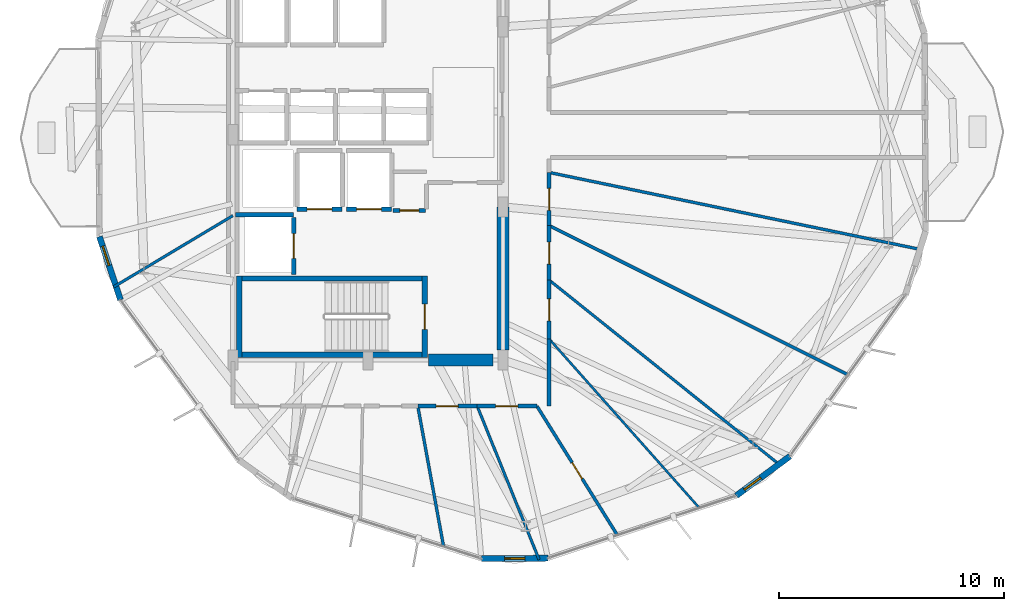
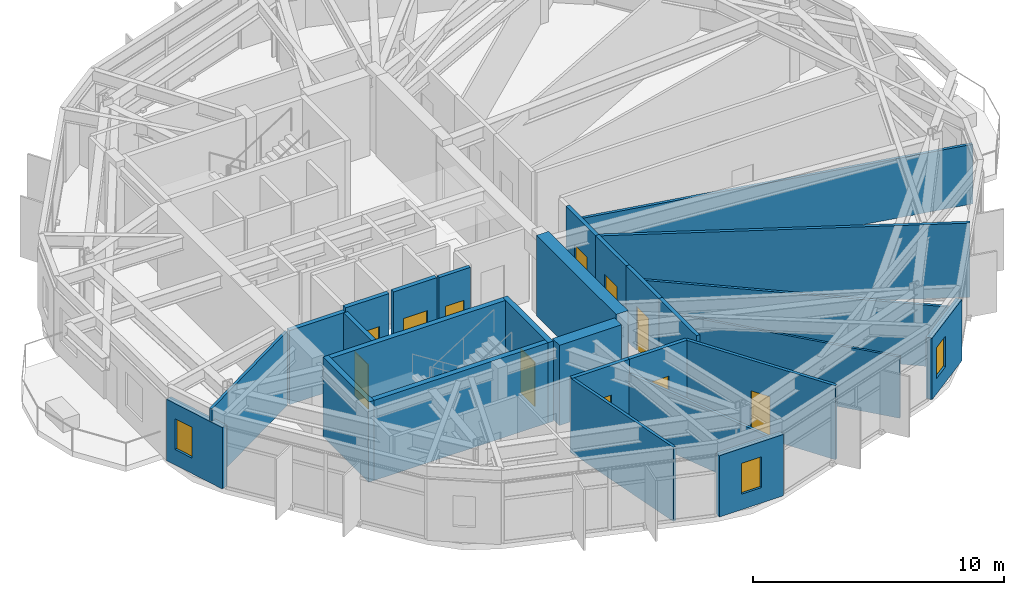
# One storey, part 21 of 27: 28 walls, 11 doors, 3 windows, 14 openings.
"""IFC4 building model written with IfcOpenShell, lengths in metres."""

from ifc_helpers import new_model, si_unit, direction, frame, frame_2d, origin, place, context, subcontext, project, spatial, rectangle, extrude, material, layer, layer_set, type_object, element, fill, save


model = new_model("IFC4")

# Units and contexts
model_context = context("Model", 3, precision=1e-05, world=origin(), true_north=direction((0.0, 1.0)))
body_context = subcontext(model_context, "Body", "Model", "MODEL_VIEW")
ifc_project = project(units=[si_unit("LENGTHUNIT", "METRE"), si_unit("AREAUNIT", "SQUARE_METRE"), si_unit("VOLUMEUNIT", "CUBIC_METRE"), si_unit("PLANEANGLEUNIT", "RADIAN"), si_unit("MASSUNIT", "GRAM", prefix="KILO")], contexts=[model_context])

# Site, building, storey
site_placement = place(None, origin())
site = spatial("IfcSite", under=ifc_project, at=site_placement, CompositionType="ELEMENT")
building_placement = place(site_placement, origin())
building = spatial("IfcBuilding", under=site, at=building_placement, Name="Soratama Intermodal Tower", CompositionType="ELEMENT")
storey_placement = place(building_placement, frame((0.0, 0.0, 99.10009765625)))
storey = spatial("IfcBuildingStorey", under=building, at=storey_placement, Name="L23", CompositionType="ELEMENT", Elevation=99.10009765625)

# Wall, opening, window
ifc_material_1 = material(Name="Concrete f'c 42 MPa", Category="concrete")
ifc_layer_1 = layer(ifc_material_1, 0.27001953125)
ifc_layer_set_1 = layer_set([ifc_layer_1], Name="Concrete f'c 42 MPa")
wall_type_1 = type_object("IfcWallType", Name="EW-CRN-270", PredefinedType="SOLIDWALL", material=ifc_layer_set_1)
wall_1_placement = place(storey_placement, frame((26.67626953125, 20.4814453125, 0.0), z_axis=(0.0, 0.0, 1.0), x_axis=(0.314968272773, -0.94910220058, 0.0)))
wall_1 = element("IfcWall", 1, at=wall_1_placement, inside=storey, type_object=wall_type_1, Name="L23 Corner Closure Wall 05", PredefinedType="SOLIDWALL", context=body_context, shape_type="SweptSolid", body=[
    extrude(rectangle(XDim=2.96630859375, YDim=0.27001953125, at=frame_2d((1.483154296875, 0.0))), origin(), (0.0, 0.0, 1.0), 2.97900390625),
])
opening_1_placement = place(wall_1_placement, frame((0.449951171875, 0.0, 0.75)))
opening_1 = element("IfcOpeningElement", 2, at=opening_1_placement, cuts=wall_1, Name="Opening WN-6", PredefinedType="OPENING", context=body_context, shape_type="SweptSolid", body=[
    extrude(rectangle(XDim=0.89990234375, YDim=1.5, at=frame_2d((0.449951171875, 0.75))), frame((0.0, 0.14501953125, 0.0), z_axis=(0.0, -1.0, 0.0), x_axis=(1.0, 0.0, 0.0)), (0.0, 0.0, 1.0), 0.2900390625),
])
ifc_material_2 = material(Name="Double-glazed aluminium window", Category="aluminium")
window_type = type_object("IfcWindowType", Name="WN-FAC-900", PartitioningType="SINGLE_PANEL", PredefinedType="WINDOW", material=ifc_material_2)
window_1_placement = place(opening_1_placement, origin())
window_1 = element("IfcWindow", 3, at=window_1_placement, inside=storey, type_object=window_type, Name="L23 Corner Window 05", OverallHeight=1.5, OverallWidth=0.89990234375, PartitioningType="SINGLE_PANEL", PredefinedType="WINDOW", context=body_context, shape_type="SweptSolid", body=[
    extrude(rectangle(XDim=0.89990234375, YDim=1.5, at=frame_2d((0.449951171875, 0.75))), frame((0.0, 0.030029296875, 0.0), z_axis=(0.0, -1.0, 0.0), x_axis=(1.0, 0.0, 0.0)), (0.0, 0.0, 1.0), 0.06005859375),
])
fill(opening_1, window_1)

wall_2_placement = place(storey_placement, frame((43.635009765625, 6.1767578125, 0.0), z_axis=(0.0, 0.0, 1.0), x_axis=(0.99998044038, 0.00625450691, 0.0)))
wall_2 = element("IfcWall", 4, at=wall_2_placement, inside=storey, type_object=wall_type_1, Name="L23 Corner Closure Wall 07", PredefinedType="SOLIDWALL", context=body_context, shape_type="SweptSolid", body=[
    extrude(rectangle(XDim=2.966552734375, YDim=0.27001953125, at=frame_2d((1.4833984375, 0.0))), origin(), (0.0, 0.0, 1.0), 2.97900390625),
])
opening_2_placement = place(wall_2_placement, frame((1.033203125, 0.0, 0.75)))
opening_2 = element("IfcOpeningElement", 5, at=opening_2_placement, cuts=wall_2, Name="Opening WN-6", PredefinedType="OPENING", context=body_context, shape_type="SweptSolid", body=[
    extrude(rectangle(XDim=0.89990234375, YDim=1.5, at=frame_2d((0.449951171875, 0.75))), frame((0.0, 0.14501953125, 0.0), z_axis=(0.0, -1.0, 0.0), x_axis=(1.0, 0.0, 0.0)), (0.0, 0.0, 1.0), 0.2900390625),
])
window_2_placement = place(opening_2_placement, origin())
window_2 = element("IfcWindow", 6, at=window_2_placement, inside=storey, type_object=window_type, Name="L23 Corner Window 07", OverallHeight=1.5, OverallWidth=0.89990234375, PartitioningType="SINGLE_PANEL", PredefinedType="WINDOW", context=body_context, shape_type="SweptSolid", body=[
    extrude(rectangle(XDim=0.89990234375, YDim=1.5, at=frame_2d((0.449951171875, 0.75))), frame((0.0, 0.030029296875, 0.0), z_axis=(0.0, -1.0, 0.0), x_axis=(1.0, 0.0, 0.0)), (0.0, 0.0, 1.0), 0.06005859375),
])
fill(opening_2, window_2)

wall_3_placement = place(storey_placement, frame((54.959716796875, 8.96923828125, 0.0), z_axis=(0.0, 0.0, 1.0), x_axis=(0.80529158798, 0.592878957569, 0.0)))
wall_3 = element("IfcWall", 7, at=wall_3_placement, inside=storey, type_object=wall_type_1, Name="L23 Corner Closure Wall 08", PredefinedType="SOLIDWALL", context=body_context, shape_type="SweptSolid", body=[
    extrude(rectangle(XDim=2.966552734375, YDim=0.27001953125, at=frame_2d((1.4833984375, 0.0))), origin(), (0.0, 0.0, 1.0), 2.97900390625),
])
opening_3_placement = place(wall_3_placement, frame((0.449951171875, 0.0, 0.75)))
opening_3 = element("IfcOpeningElement", 8, at=opening_3_placement, cuts=wall_3, Name="Opening WN-6", PredefinedType="OPENING", context=body_context, shape_type="SweptSolid", body=[
    extrude(rectangle(XDim=0.89990234375, YDim=1.5, at=frame_2d((0.449951171875, 0.75))), frame((0.0, 0.14501953125, 0.0), z_axis=(0.0, -1.0, 0.0), x_axis=(1.0, 0.0, 0.0)), (0.0, 0.0, 1.0), 0.2900390625),
])
window_3_placement = place(opening_3_placement, origin())
window_3 = element("IfcWindow", 9, at=window_3_placement, inside=storey, type_object=window_type, Name="L23 Corner Window 08", OverallHeight=1.5, OverallWidth=0.89990234375, PartitioningType="SINGLE_PANEL", PredefinedType="WINDOW", context=body_context, shape_type="SweptSolid", body=[
    extrude(rectangle(XDim=0.89990234375, YDim=1.5, at=frame_2d((0.449951171875, 0.75))), frame((0.0, 0.030029296875, 0.0), z_axis=(0.0, -1.0, 0.0), x_axis=(1.0, 0.0, 0.0)), (0.0, 0.0, 1.0), 0.06005859375),
])
fill(opening_3, window_3)

# Wall, opening, door
ifc_material_3 = material(Name="Fire-rated gypsum stud partition", Category="concrete")
ifc_layer_2 = layer(ifc_material_3, 0.169921875)
ifc_layer_set_2 = layer_set([ifc_layer_2], Name="Fire-rated gypsum stud partition")
wall_type_2 = type_object("IfcWallType", Name="IW-PART-R170", PredefinedType="PARTITIONING", material=ifc_layer_set_2)
wall_4_placement = place(storey_placement, frame((46.10791015625, 12.949951171875, 0.0), z_axis=(0.0, 0.0, 1.0), x_axis=(-1.0, 0.0, 0.0)))
wall_4 = element("IfcWall", 10, at=wall_4_placement, inside=storey, type_object=wall_type_2, Name="L23 Partition W-L23-TP026", PredefinedType="PARTITIONING", context=body_context, shape_type="SweptSolid", body=[
    extrude(rectangle(XDim=2.65283203125, YDim=0.169921875, at=frame_2d((1.326416015625, 0.0))), origin(), (0.0, 0.0, 1.0), 3.599853515625),
])
opening_4_placement = place(wall_4_placement, frame((0.85107421875, 0.0, 0.0)))
opening_4 = element("IfcOpeningElement", 11, at=opening_4_placement, cuts=wall_4, Name="Opening ID-5", PredefinedType="OPENING", context=body_context, shape_type="SweptSolid", body=[
    extrude(rectangle(XDim=0.97998046875, YDim=2.14990234375, at=frame_2d((0.489990234375, 1.074951171875))), frame((0.0, 0.094970703125, 0.0), z_axis=(0.0, -1.0, 0.0), x_axis=(1.0, 0.0, 0.0)), (0.0, 0.0, 1.0), 0.18994140625),
])
ifc_material_4 = material(Name="Solid hardwood acoustic door", Category="wood")
door_type_1 = type_object("IfcDoorType", Name="DR-OFF-980", OperationType="NOTDEFINED", PredefinedType="DOOR", material=ifc_material_4)
door_1_placement = place(opening_4_placement, origin())
door_1 = element("IfcDoor", 12, at=door_1_placement, inside=storey, type_object=door_type_1, Name="L23 Door D-L23-TP010", OperationType="SINGLE_SWING_LEFT", OverallHeight=2.14990234375, OverallWidth=0.97998046875, PredefinedType="DOOR", context=body_context, shape_type="SweptSolid", body=[
    extrude(rectangle(XDim=0.97998046875, YDim=2.14990234375, at=frame_2d((0.489990234375, 1.074951171875))), frame((0.0, 0.02490234375, 0.0), z_axis=(0.0, -1.0, 0.0), x_axis=(1.0, 0.0, 0.0)), (0.0, 0.0, 1.0), 0.050048828125),
])
fill(opening_4, door_1)

wall_5_placement = place(storey_placement, frame((43.455078125, 12.949951171875, 0.0), z_axis=(0.0, 0.0, 1.0), x_axis=(-1.0, 0.0, 0.0)))
wall_5 = element("IfcWall", 13, at=wall_5_placement, inside=storey, type_object=wall_type_2, Name="L23 Partition W-L23-TP027", PredefinedType="PARTITIONING", context=body_context, shape_type="SweptSolid", body=[
    extrude(rectangle(XDim=2.64013671875, YDim=0.169921875, at=frame_2d((1.320068359375, 0.0))), origin(), (0.0, 0.0, 1.0), 3.599853515625),
])
opening_5_placement = place(wall_5_placement, frame((0.844970703125, 0.0, 0.0)))
opening_5 = element("IfcOpeningElement", 14, at=opening_5_placement, cuts=wall_5, Name="Opening ID-5", PredefinedType="OPENING", context=body_context, shape_type="SweptSolid", body=[
    extrude(rectangle(XDim=0.97998046875, YDim=2.14990234375, at=frame_2d((0.489990234375, 1.074951171875))), frame((0.0, 0.094970703125, 0.0), z_axis=(0.0, -1.0, 0.0), x_axis=(1.0, 0.0, 0.0)), (0.0, 0.0, 1.0), 0.18994140625),
])
door_2_placement = place(opening_5_placement, origin())
door_2 = element("IfcDoor", 15, at=door_2_placement, inside=storey, type_object=door_type_1, Name="L23 Door D-L23-TP011", OperationType="SINGLE_SWING_RIGHT", OverallHeight=2.14990234375, OverallWidth=0.97998046875, PredefinedType="DOOR", context=body_context, shape_type="SweptSolid", body=[
    extrude(rectangle(XDim=0.97998046875, YDim=2.14990234375, at=frame_2d((0.489990234375, 1.074951171875))), frame((0.0, 0.02490234375, 0.0), z_axis=(0.0, -1.0, 0.0), x_axis=(1.0, 0.0, 0.0)), (0.0, 0.0, 1.0), 0.050048828125),
])
fill(opening_5, door_2)

wall_6_placement = place(storey_placement, frame((46.64990234375, 18.550048828125, 0.0), z_axis=(0.0, 0.0, 1.0), x_axis=(0.0, -1.0, 0.0)))
wall_6 = element("IfcWall", 16, at=wall_6_placement, inside=storey, type_object=wall_type_2, Name="L23 Partition W-L23-TP028", PredefinedType="PARTITIONING", context=body_context, shape_type="SweptSolid", body=[
    extrude(rectangle(XDim=2.614013671875, YDim=0.169921875, at=frame_2d((1.30712890625, 0.0))), origin(), (0.0, 0.0, 1.0), 3.599853515625),
])
opening_6_placement = place(wall_6_placement, frame((0.83203125, 0.0, 0.0)))
opening_6 = element("IfcOpeningElement", 17, at=opening_6_placement, cuts=wall_6, Name="Opening ID-5", PredefinedType="OPENING", context=body_context, shape_type="SweptSolid", body=[
    extrude(rectangle(XDim=0.97998046875, YDim=2.14990234375, at=frame_2d((0.489990234375, 1.074951171875))), frame((0.0, 0.094970703125, 0.0), z_axis=(0.0, -1.0, 0.0), x_axis=(1.0, 0.0, 0.0)), (0.0, 0.0, 1.0), 0.18994140625),
])
door_3_placement = place(opening_6_placement, origin())
door_3 = element("IfcDoor", 18, at=door_3_placement, inside=storey, type_object=door_type_1, Name="L23 Door D-L23-TP012", OperationType="SINGLE_SWING_LEFT", OverallHeight=2.14990234375, OverallWidth=0.97998046875, PredefinedType="DOOR", context=body_context, shape_type="SweptSolid", body=[
    extrude(rectangle(XDim=0.97998046875, YDim=2.14990234375, at=frame_2d((0.489990234375, 1.074951171875))), frame((0.0, 0.02490234375, 0.0), z_axis=(0.0, -1.0, 0.0), x_axis=(1.0, 0.0, 0.0)), (0.0, 0.0, 1.0), 0.050048828125),
])
fill(opening_6, door_3)

wall_7_placement = place(storey_placement, frame((46.64990234375, 20.97509765625, 0.0), z_axis=(0.0, 0.0, 1.0), x_axis=(0.0, -1.0, 0.0)))
wall_7 = element("IfcWall", 19, at=wall_7_placement, inside=storey, type_object=wall_type_2, Name="L23 Partition W-L23-TP030", PredefinedType="PARTITIONING", context=body_context, shape_type="SweptSolid", body=[
    extrude(rectangle(XDim=2.425048828125, YDim=0.169921875, at=frame_2d((1.21240234375, 0.0))), origin(), (0.0, 0.0, 1.0), 3.599853515625),
])
opening_7_placement = place(wall_7_placement, frame((0.738037109375, 0.0, 0.0)))
opening_7 = element("IfcOpeningElement", 20, at=opening_7_placement, cuts=wall_7, Name="Opening ID-5", PredefinedType="OPENING", context=body_context, shape_type="SweptSolid", body=[
    extrude(rectangle(XDim=0.97998046875, YDim=2.14990234375, at=frame_2d((0.489990234375, 1.074951171875))), frame((0.0, 0.094970703125, 0.0), z_axis=(0.0, -1.0, 0.0), x_axis=(1.0, 0.0, 0.0)), (0.0, 0.0, 1.0), 0.18994140625),
])
door_4_placement = place(opening_7_placement, origin())
door_4 = element("IfcDoor", 21, at=door_4_placement, inside=storey, type_object=door_type_1, Name="L23 Door D-L23-TP014", OperationType="SINGLE_SWING_LEFT", OverallHeight=2.14990234375, OverallWidth=0.97998046875, PredefinedType="DOOR", context=body_context, shape_type="SweptSolid", body=[
    extrude(rectangle(XDim=0.97998046875, YDim=2.14990234375, at=frame_2d((0.489990234375, 1.074951171875))), frame((0.0, 0.02490234375, 0.0), z_axis=(0.0, -1.0, 0.0), x_axis=(1.0, 0.0, 0.0)), (0.0, 0.0, 1.0), 0.050048828125),
])
fill(opening_7, door_4)

wall_8_placement = place(storey_placement, frame((46.64990234375, 23.330078125, 0.0), z_axis=(0.0, 0.0, 1.0), x_axis=(0.0, -1.0, 0.0)))
wall_8 = element("IfcWall", 22, at=wall_8_placement, inside=storey, type_object=wall_type_2, Name="L23 Partition W-L23-TP032", PredefinedType="PARTITIONING", context=body_context, shape_type="SweptSolid", body=[
    extrude(rectangle(XDim=2.35498046875, YDim=0.169921875, at=frame_2d((1.177490234375, 0.0))), origin(), (0.0, 0.0, 1.0), 3.599853515625),
])
opening_8_placement = place(wall_8_placement, frame((0.701904296875, 0.0, 0.0)))
opening_8 = element("IfcOpeningElement", 23, at=opening_8_placement, cuts=wall_8, Name="Opening ID-5", PredefinedType="OPENING", context=body_context, shape_type="SweptSolid", body=[
    extrude(rectangle(XDim=0.97998046875, YDim=2.14990234375, at=frame_2d((0.489990234375, 1.074951171875))), frame((0.0, 0.094970703125, 0.0), z_axis=(0.0, -1.0, 0.0), x_axis=(1.0, 0.0, 0.0)), (0.0, 0.0, 1.0), 0.18994140625),
])
door_5_placement = place(opening_8_placement, origin())
door_5 = element("IfcDoor", 24, at=door_5_placement, inside=storey, type_object=door_type_1, Name="L23 Door D-L23-TP016", OperationType="SINGLE_SWING_LEFT", OverallHeight=2.14990234375, OverallWidth=0.97998046875, PredefinedType="DOOR", context=body_context, shape_type="SweptSolid", body=[
    extrude(rectangle(XDim=0.97998046875, YDim=2.14990234375, at=frame_2d((0.489990234375, 1.074951171875))), frame((0.0, 0.02490234375, 0.0), z_axis=(0.0, -1.0, 0.0), x_axis=(1.0, 0.0, 0.0)), (0.0, 0.0, 1.0), 0.050048828125),
])
fill(opening_8, door_5)

wall_9_placement = place(storey_placement, frame((39.719970703125, 21.639892578125, 0.0), z_axis=(0.0, 0.0, 1.0), x_axis=(1.0, 0.0, 0.0)))
wall_9 = element("IfcWall", 25, at=wall_9_placement, inside=storey, type_object=wall_type_2, Name="L23 Partition W-L23-TP037", PredefinedType="PARTITIONING", context=body_context, shape_type="SweptSolid", body=[
    extrude(rectangle(XDim=1.43994140625, YDim=0.169921875, at=frame_2d((0.719970703125, 0.0))), origin(), (0.0, 0.0, 1.0), 3.599853515625),
])
opening_9_placement = place(wall_9_placement, frame((0.294921875, 0.0, 0.0)))
opening_9 = element("IfcOpeningElement", 26, at=opening_9_placement, cuts=wall_9, Name="Opening ID-4", PredefinedType="OPENING", context=body_context, shape_type="SweptSolid", body=[
    extrude(rectangle(XDim=0.85009765625, YDim=2.10009765625, at=frame_2d((0.425048828125, 1.050048828125))), frame((0.0, 0.094970703125, 0.0), z_axis=(0.0, -1.0, 0.0), x_axis=(1.0, 0.0, 0.0)), (0.0, 0.0, 1.0), 0.18994140625),
])
ifc_material_5 = material(Name="Solid hardwood acoustic door", Category="wood")
door_type_2 = type_object("IfcDoorType", Name="DR-BATH-850", OperationType="NOTDEFINED", PredefinedType="DOOR", material=ifc_material_5)
door_6_placement = place(opening_9_placement, origin())
door_6 = element("IfcDoor", 27, at=door_6_placement, inside=storey, type_object=door_type_2, Name="L23 Door D-L23-TP019", OperationType="SINGLE_SWING_RIGHT", OverallHeight=2.10009765625, OverallWidth=0.85009765625, PredefinedType="DOOR", context=body_context, shape_type="SweptSolid", body=[
    extrude(rectangle(XDim=0.85009765625, YDim=2.10009765625, at=frame_2d((0.425048828125, 1.050048828125))), frame((0.0, 0.02490234375, 0.0), z_axis=(0.0, -1.0, 0.0), x_axis=(1.0, 0.0, 0.0)), (0.0, 0.0, 1.0), 0.050048828125),
])
fill(opening_9, door_6)

# Walls
wall_10_placement = place(storey_placement, frame((46.64990234375, 15.93603515625, 0.0), z_axis=(0.0, 0.0, 1.0), x_axis=(0.0, -1.0, 0.0)))
element("IfcWall", 28, at=wall_10_placement, inside=storey, type_object=wall_type_2, Name="L23 Partition W-L23-TP041", PredefinedType="PARTITIONING", context=body_context, shape_type="SweptSolid", body=[
    extrude(rectangle(XDim=2.986083984375, YDim=0.169921875, at=frame_2d((1.4931640625, 0.0))), origin(), (0.0, 0.0, 1.0), 3.599853515625),
])
ifc_material_6 = material(Name="Fire-rated gypsum stud partition", Category="concrete")
ifc_layer_3 = layer(ifc_material_6, 0.10009765625)
ifc_layer_set_3 = layer_set([ifc_layer_3], Name="Fire-rated gypsum stud partition")
wall_type_3 = type_object("IfcWallType", Name="IW-PART-S100", PredefinedType="PARTITIONING", material=ifc_layer_set_3)
wall_11_placement = place(storey_placement, frame((46.64990234375, 15.93603515625, 0.0), z_axis=(0.0, 0.0, 1.0), x_axis=(0.664172243605, -0.7475795816, 0.0)))
element("IfcWall", 29, at=wall_11_placement, inside=storey, type_object=wall_type_3, Name="L23 Partition W-L23-TP009", PredefinedType="PARTITIONING", context=body_context, shape_type="SweptSolid", body=[
    extrude(rectangle(XDim=10.045654296875, YDim=0.10009765625, at=frame_2d((5.02294921875, 0.0))), origin(), (0.0, 0.0, 1.0), 2.977783203125),
])
ifc_material_7 = material(Name="Fire-rated gypsum stud partition", Category="concrete")
ifc_layer_4 = layer(ifc_material_7, 0.1201171875)
ifc_layer_set_4 = layer_set([ifc_layer_4], Name="Fire-rated gypsum stud partition")
wall_type_4 = type_object("IfcWallType", Name="IW-PART-S120", PredefinedType="PARTITIONING", material=ifc_layer_set_4)
wall_12_placement = place(storey_placement, frame((46.64990234375, 18.550048828125, 0.0), z_axis=(0.0, 0.0, 1.0), x_axis=(0.780393276033, -0.625289000961, 0.0)))
element("IfcWall", 30, at=wall_12_placement, inside=storey, type_object=wall_type_4, Name="L23 Partition W-L23-TP007", PredefinedType="PARTITIONING", context=body_context, shape_type="SweptSolid", body=[
    extrude(rectangle(XDim=13.179443359375, YDim=0.1201171875, at=frame_2d((6.58984375, 0.0))), origin(), (0.0, 0.0, 1.0), 2.977783203125),
])
wall_13_placement = place(storey_placement, frame((43.455078125, 12.949951171875, 0.0), z_axis=(0.0, 0.0, 1.0), x_axis=(0.373850874789, -0.927488826574, 0.0)))
element("IfcWall", 31, at=wall_13_placement, inside=storey, type_object=wall_type_4, Name="L23 Partition W-L23-TP012", PredefinedType="PARTITIONING", context=body_context, shape_type="SweptSolid", body=[
    extrude(rectangle(XDim=7.353271484375, YDim=0.1201171875, at=frame_2d((3.6767578125, 0.0))), origin(), (0.0, 0.0, 1.0), 2.89501953125),
])
wall_14_placement = place(storey_placement, frame((32.60009765625, 21.410888671875, 0.0), z_axis=(0.0, 0.0, 1.0), x_axis=(-0.858222476584, -0.513277878625, 0.0)))
element("IfcWall", 32, at=wall_14_placement, inside=storey, type_object=wall_type_4, Name="L23 Partition W-L23-TP017", PredefinedType="PARTITIONING", context=body_context, shape_type="SweptSolid", body=[
    extrude(rectangle(XDim=6.1640625, YDim=0.1201171875, at=frame_2d((3.08203125, 0.0))), origin(), (0.0, 0.0, 1.0), 3.599853515625),
])
ifc_material_8 = material(Name="Fire-rated gypsum stud partition", Category="concrete")
ifc_layer_5 = layer(ifc_material_8, 0.1298828125)
ifc_layer_set_5 = layer_set([ifc_layer_5], Name="Fire-rated gypsum stud partition")
wall_type_5 = type_object("IfcWallType", Name="IW-PART-S130", PredefinedType="PARTITIONING", material=ifc_layer_set_5)
wall_15_placement = place(storey_placement, frame((46.64990234375, 23.330078125, 0.0), z_axis=(0.0, 0.0, 1.0), x_axis=(0.979169010493, -0.203046913027, 0.0)))
element("IfcWall", 33, at=wall_15_placement, inside=storey, type_object=wall_type_5, Name="L23 Partition W-L23-TP001", PredefinedType="PARTITIONING", context=body_context, shape_type="SweptSolid", body=[
    extrude(rectangle(XDim=16.957275390625, YDim=0.1298828125, at=frame_2d((8.478515625, 0.0))), origin(), (0.0, 0.0, 1.0), 2.89501953125),
])
wall_16_placement = place(storey_placement, frame((40.81494140625, 12.949951171875, 0.0), z_axis=(0.0, 0.0, 1.0), x_axis=(0.180754061663, -0.983528326584, 0.0)))
element("IfcWall", 34, at=wall_16_placement, inside=storey, type_object=wall_type_5, Name="L23 Partition W-L23-TP016", PredefinedType="PARTITIONING", context=body_context, shape_type="SweptSolid", body=[
    extrude(rectangle(XDim=6.345458984375, YDim=0.1298828125, at=frame_2d((3.1728515625, 0.0))), origin(), (0.0, 0.0, 1.0), 3.599853515625),
])
ifc_material_9 = material(Name="Fire-rated gypsum stud partition", Category="concrete")
ifc_layer_6 = layer(ifc_material_9, 0.139892578125)
ifc_layer_set_6 = layer_set([ifc_layer_6], Name="Fire-rated gypsum stud partition")
wall_type_6 = type_object("IfcWallType", Name="IW-PART-S140", PredefinedType="PARTITIONING", material=ifc_layer_set_6)
wall_17_placement = place(storey_placement, frame((46.64990234375, 20.97509765625, 0.0), z_axis=(0.0, 0.0, 1.0), x_axis=(0.894492933533, -0.447082086266, 0.0)))
element("IfcWall", 35, at=wall_17_placement, inside=storey, type_object=wall_type_6, Name="L23 Partition W-L23-TP005", PredefinedType="PARTITIONING", context=body_context, shape_type="SweptSolid", body=[
    extrude(rectangle(XDim=14.85205078125, YDim=0.139892578125, at=frame_2d((7.426025390625, 0.0))), origin(), (0.0, 0.0, 1.0), 3.599853515625),
])

# Wall, opening, door
wall_18_placement = place(storey_placement, frame((46.10791015625, 12.949951171875, 0.0), z_axis=(0.0, 0.0, 1.0), x_axis=(0.528926462894, -0.848667659835, 0.0)))
wall_18 = element("IfcWall", 36, at=wall_18_placement, inside=storey, type_object=wall_type_6, Name="L23 Partition W-L23-TP015", PredefinedType="PARTITIONING", context=body_context, shape_type="SweptSolid", body=[
    extrude(rectangle(XDim=6.755126953125, YDim=0.139892578125, at=frame_2d((3.37744140625, 0.0))), origin(), (0.0, 0.0, 1.0), 3.599853515625),
])
opening_10_placement = place(wall_18_placement, frame((2.952880859375, 0.0, 0.0)))
opening_10 = element("IfcOpeningElement", 37, at=opening_10_placement, cuts=wall_18, Name="Opening ID-4", PredefinedType="OPENING", context=body_context, shape_type="SweptSolid", body=[
    extrude(rectangle(XDim=0.85009765625, YDim=2.10009765625, at=frame_2d((0.425048828125, 1.050048828125))), frame((0.0, 0.079833984375, 0.0), z_axis=(0.0, -1.0, 0.0), x_axis=(1.0, 0.0, 0.0)), (0.0, 0.0, 1.0), 0.159912109375),
])
door_7_placement = place(opening_10_placement, origin())
door_7 = element("IfcDoor", 38, at=door_7_placement, inside=storey, type_object=door_type_2, Name="L23 Door D-L23-TP020", OperationType="SINGLE_SWING_LEFT", OverallHeight=2.10009765625, OverallWidth=0.85009765625, PredefinedType="DOOR", context=body_context, shape_type="SweptSolid", body=[
    extrude(rectangle(XDim=0.85009765625, YDim=2.10009765625, at=frame_2d((0.425048828125, 1.050048828125))), frame((0.0, 0.02490234375, 0.0), z_axis=(0.0, -1.0, 0.0), x_axis=(1.0, 0.0, 0.0)), (0.0, 0.0, 1.0), 0.050048828125),
])
fill(opening_10, door_7)

ifc_material_10 = material(Name="Concrete f'c 42 MPa", Category="concrete")
ifc_layer_7 = layer(ifc_material_10, 0.199951171875)
ifc_layer_set_7 = layer_set([ifc_layer_7], Name="Concrete f'c 42 MPa")
wall_type_7 = type_object("IfcWallType", Name="IW-SHAFT-200", PredefinedType="SOLIDWALL", material=ifc_layer_set_7)
wall_19_placement = place(storey_placement, frame((35.449951171875, 21.699951171875, 0.0), z_axis=(0.0, 0.0, 1.0), x_axis=(1.0, 0.0, 0.0)))
wall_19 = element("IfcWall", 39, at=wall_19_placement, inside=storey, type_object=wall_type_7, Name="L23 FFL-1 Hoistway Wall S", PredefinedType="SOLIDWALL", context=body_context, shape_type="SweptSolid", body=[
    extrude(rectangle(XDim=2.0, YDim=0.199951171875, at=frame_2d((1.0, 0.0))), origin(), (0.0, 0.0, 1.0), 3.599853515625),
])
opening_11_placement = place(wall_19_placement, frame((0.449951171875, 0.0, 0.0)))
opening_11 = element("IfcOpeningElement", 40, at=opening_11_placement, cuts=wall_19, Name="Opening LD-1", PredefinedType="OPENING", context=body_context, shape_type="SweptSolid", body=[
    extrude(rectangle(XDim=1.10009765625, YDim=2.14990234375, at=frame_2d((0.550048828125, 1.074951171875))), frame((0.0, 0.10986328125, 0.0), z_axis=(0.0, -1.0, 0.0), x_axis=(1.0, 0.0, 0.0)), (0.0, 0.0, 1.0), 0.219970703125),
])
ifc_material_11 = material(Name="Steel fire door", Category="steel")
door_type_3 = type_object("IfcDoorType", Name="DR-LIFT-SLIDE", OperationType="NOTDEFINED", PredefinedType="DOOR", material=ifc_material_11)
door_8_placement = place(opening_11_placement, origin())
door_8 = element("IfcDoor", 41, at=door_8_placement, inside=storey, type_object=door_type_3, Name="L23 FFL-1 Sliding Landing Door", OperationType="SLIDING_TO_LEFT", OverallHeight=2.14990234375, OverallWidth=1.10009765625, PredefinedType="DOOR", context=body_context, shape_type="SweptSolid", body=[
    extrude(rectangle(XDim=1.10009765625, YDim=2.14990234375, at=frame_2d((0.550048828125, 1.074951171875))), frame((0.0, 0.02490234375, 0.0), z_axis=(0.0, -1.0, 0.0), x_axis=(1.0, 0.0, 0.0)), (0.0, 0.0, 1.0), 0.050048828125),
])
fill(opening_11, door_8)

wall_20_placement = place(storey_placement, frame((37.64990234375, 21.699951171875, 0.0), z_axis=(0.0, 0.0, 1.0), x_axis=(1.0, 0.0, 0.0)))
wall_20 = element("IfcWall", 42, at=wall_20_placement, inside=storey, type_object=wall_type_7, Name="L23 FFL-2 Hoistway Wall S", PredefinedType="SOLIDWALL", context=body_context, shape_type="SweptSolid", body=[
    extrude(rectangle(XDim=2.0, YDim=0.199951171875, at=frame_2d((1.0, 0.0))), origin(), (0.0, 0.0, 1.0), 3.599853515625),
])
opening_12_placement = place(wall_20_placement, frame((0.449951171875, 0.0, 0.0)))
opening_12 = element("IfcOpeningElement", 43, at=opening_12_placement, cuts=wall_20, Name="Opening LD-1", PredefinedType="OPENING", context=body_context, shape_type="SweptSolid", body=[
    extrude(rectangle(XDim=1.10009765625, YDim=2.14990234375, at=frame_2d((0.550048828125, 1.074951171875))), frame((0.0, 0.10986328125, 0.0), z_axis=(0.0, -1.0, 0.0), x_axis=(1.0, 0.0, 0.0)), (0.0, 0.0, 1.0), 0.219970703125),
])
door_9_placement = place(opening_12_placement, origin())
door_9 = element("IfcDoor", 44, at=door_9_placement, inside=storey, type_object=door_type_3, Name="L23 FFL-2 Sliding Landing Door", OperationType="SLIDING_TO_LEFT", OverallHeight=2.14990234375, OverallWidth=1.10009765625, PredefinedType="DOOR", context=body_context, shape_type="SweptSolid", body=[
    extrude(rectangle(XDim=1.10009765625, YDim=2.14990234375, at=frame_2d((0.550048828125, 1.074951171875))), frame((0.0, 0.02490234375, 0.0), z_axis=(0.0, -1.0, 0.0), x_axis=(1.0, 0.0, 0.0)), (0.0, 0.0, 1.0), 0.050048828125),
])
fill(opening_12, door_9)

# Wall
wall_21_placement = place(storey_placement, frame((32.719970703125, 21.449951171875, 0.0), z_axis=(0.0, 0.0, 1.0), x_axis=(1.0, 0.0, 0.0)))
element("IfcWall", 45, at=wall_21_placement, inside=storey, type_object=wall_type_7, Name="L23 SVL-1 Hoistway Wall N", PredefinedType="SOLIDWALL", context=body_context, shape_type="SweptSolid", body=[
    extrude(rectangle(XDim=2.580078125, YDim=0.199951171875, at=frame_2d((1.2900390625, 0.0))), origin(), (0.0, 0.0, 1.0), 3.599853515625),
])

# Wall, opening, door
wall_22_placement = place(storey_placement, frame((35.300048828125, 18.7900390625, 0.0), z_axis=(0.0, 0.0, 1.0), x_axis=(0.0, 1.0, 0.0)))
wall_22 = element("IfcWall", 46, at=wall_22_placement, inside=storey, type_object=wall_type_7, Name="L23 SVL-1 Hoistway Wall E", PredefinedType="SOLIDWALL", context=body_context, shape_type="SweptSolid", body=[
    extrude(rectangle(XDim=2.550048828125, YDim=0.199951171875, at=frame_2d((1.27490234375, 0.0))), origin(), (0.0, 0.0, 1.0), 3.599853515625),
])
opening_13_placement = place(wall_22_placement, frame((0.72509765625, 0.0, 0.0)))
opening_13 = element("IfcOpeningElement", 47, at=opening_13_placement, cuts=wall_22, Name="Opening LD-1", PredefinedType="OPENING", context=body_context, shape_type="SweptSolid", body=[
    extrude(rectangle(XDim=1.10009765625, YDim=2.14990234375, at=frame_2d((0.550048828125, 1.074951171875))), frame((0.0, 0.10986328125, 0.0), z_axis=(0.0, -1.0, 0.0), x_axis=(1.0, 0.0, 0.0)), (0.0, 0.0, 1.0), 0.219970703125),
])
door_10_placement = place(opening_13_placement, origin())
door_10 = element("IfcDoor", 48, at=door_10_placement, inside=storey, type_object=door_type_3, Name="L23 SVL-1 Sliding Landing Door", OperationType="SLIDING_TO_LEFT", OverallHeight=2.14990234375, OverallWidth=1.10009765625, PredefinedType="DOOR", context=body_context, shape_type="SweptSolid", body=[
    extrude(rectangle(XDim=1.10009765625, YDim=2.14990234375, at=frame_2d((0.550048828125, 1.074951171875))), frame((0.0, 0.02490234375, 0.0), z_axis=(0.0, -1.0, 0.0), x_axis=(1.0, 0.0, 0.0)), (0.0, 0.0, 1.0), 0.050048828125),
])
fill(opening_13, door_10)

# Walls
ifc_material_12 = material(Name="Concrete f'c 56 MPa", Category="concrete")
ifc_layer_8 = layer(ifc_material_12, 0.550048828125)
ifc_layer_set_8 = layer_set([ifc_layer_8], Name="Concrete f'c 56 MPa")
wall_type_8 = type_object("IfcWallType", Name="SW-CORE-550", PredefinedType="SHEAR", material=ifc_layer_set_8)
wall_23_placement = place(storey_placement, frame((41.300048828125, 15.0, 0.0), z_axis=(0.0, 0.0, 1.0), x_axis=(1.0, 0.0, 0.0)))
element("IfcWall", 49, at=wall_23_placement, inside=storey, type_object=wall_type_8, Name="L23 Core Shear Wall CW-SE", PredefinedType="SHEAR", context=body_context, shape_type="SweptSolid", body=[
    extrude(rectangle(XDim=2.849853515625, YDim=0.550048828125, at=frame_2d((1.4248046875, 0.0))), origin(), (0.0, 0.0, 1.0), 3.89990234375),
])
wall_24_placement = place(storey_placement, frame((44.60009765625, 15.449951171875, 0.0), z_axis=(0.0, 0.0, 1.0), x_axis=(0.0, 1.0, 0.0)))
element("IfcWall", 50, at=wall_24_placement, inside=storey, type_object=wall_type_8, Name="L23 Core Shear Wall CW-ES", PredefinedType="SHEAR", context=body_context, shape_type="SweptSolid", body=[
    extrude(rectangle(XDim=6.35009765625, YDim=0.550048828125, at=frame_2d((3.175048828125, 0.0))), origin(), (0.0, 0.0, 1.0), 3.89990234375),
])
ifc_material_13 = material(Name="Concrete f'c 56 MPa", Category="concrete")
ifc_layer_9 = layer(ifc_material_13, 0.239990234375)
ifc_layer_set_9 = layer_set([ifc_layer_9], Name="Concrete f'c 56 MPa")
wall_type_9 = type_object("IfcWallType", Name="SW-STAIR-240", PredefinedType="SHEAR", material=ifc_layer_set_9)
wall_25_placement = place(storey_placement, frame((32.8798828125, 15.110107421875, 0.0), z_axis=(0.0, 0.0, 1.0), x_axis=(0.0, 1.0, 0.0)))
element("IfcWall", 51, at=wall_25_placement, inside=storey, type_object=wall_type_9, Name="L23 ST-1 Shaft Shear Wall W", PredefinedType="SHEAR", context=body_context, shape_type="SweptSolid", body=[
    extrude(rectangle(XDim=3.6298828125, YDim=0.239990234375, at=frame_2d((1.81494140625, 0.0))), origin(), (0.0, 0.0, 1.0), 3.89990234375),
])

# Wall, opening, door
wall_26_placement = place(storey_placement, frame((41.1201171875, 15.110107421875, 0.0), z_axis=(0.0, 0.0, 1.0), x_axis=(0.0, 1.0, 0.0)))
wall_26 = element("IfcWall", 52, at=wall_26_placement, inside=storey, type_object=wall_type_9, Name="L23 ST-1 Shaft Shear Wall E", PredefinedType="SHEAR", context=body_context, shape_type="SweptSolid", body=[
    extrude(rectangle(XDim=3.6298828125, YDim=0.239990234375, at=frame_2d((1.81494140625, 0.0))), origin(), (0.0, 0.0, 1.0), 3.89990234375),
])
opening_14_placement = place(wall_26_placement, frame((1.2548828125, 0.0, 0.0)))
opening_14 = element("IfcOpeningElement", 53, at=opening_14_placement, cuts=wall_26, Name="Opening SD-1", PredefinedType="OPENING", context=body_context, shape_type="SweptSolid", body=[
    extrude(rectangle(XDim=1.1201171875, YDim=2.14990234375, at=frame_2d((0.56005859375, 1.074951171875))), frame((0.0, 0.1298828125, 0.0), z_axis=(0.0, -1.0, 0.0), x_axis=(1.0, 0.0, 0.0)), (0.0, 0.0, 1.0), 0.260009765625),
])
ifc_material_14 = material(Name="Steel fire door", Category="steel")
door_type_4 = type_object("IfcDoorType", Name="DR-STAIR-FD90", OperationType="NOTDEFINED", PredefinedType="DOOR", material=ifc_material_14)
door_11_placement = place(opening_14_placement, origin())
door_11 = element("IfcDoor", 54, at=door_11_placement, inside=storey, type_object=door_type_4, Name="L23 ST-1 Exit Stair Door", OperationType="SINGLE_SWING_LEFT", OverallHeight=2.14990234375, OverallWidth=1.1201171875, PredefinedType="DOOR", context=body_context, shape_type="SweptSolid", body=[
    extrude(rectangle(XDim=1.1201171875, YDim=2.14990234375, at=frame_2d((0.56005859375, 1.074951171875))), frame((0.0, 0.02490234375, 0.0), z_axis=(0.0, -1.0, 0.0), x_axis=(1.0, 0.0, 0.0)), (0.0, 0.0, 1.0), 0.050048828125),
])
fill(opening_14, door_11)

# Walls
for number, where, z_axis, x_axis, name in (
    (55, (33.0, 15.22998046875, 0.0), (0.0, 0.0, 1.0), (1.0, 0.0, 0.0), "L23 ST-1 Shaft Shear Wall S"),
    (56, (33.0, 18.6201171875, 0.0), (0.0, 0.0, 1.0), (1.0, 0.0, 0.0), "L23 ST-1 Shaft Shear Wall N"),
):
    element("IfcWall", number, at=place(storey_placement, frame(where, z_axis=z_axis, x_axis=x_axis)), inside=storey, type_object=wall_type_9, Name=name, PredefinedType="SHEAR", context=body_context, shape_type="SweptSolid", body=[
        extrude(rectangle(XDim=8.0, YDim=0.239990234375, at=frame_2d((4.0, 0.0))), origin(), (0.0, 0.0, 1.0), 3.89990234375),
    ])

save(model, "model.ifc")
